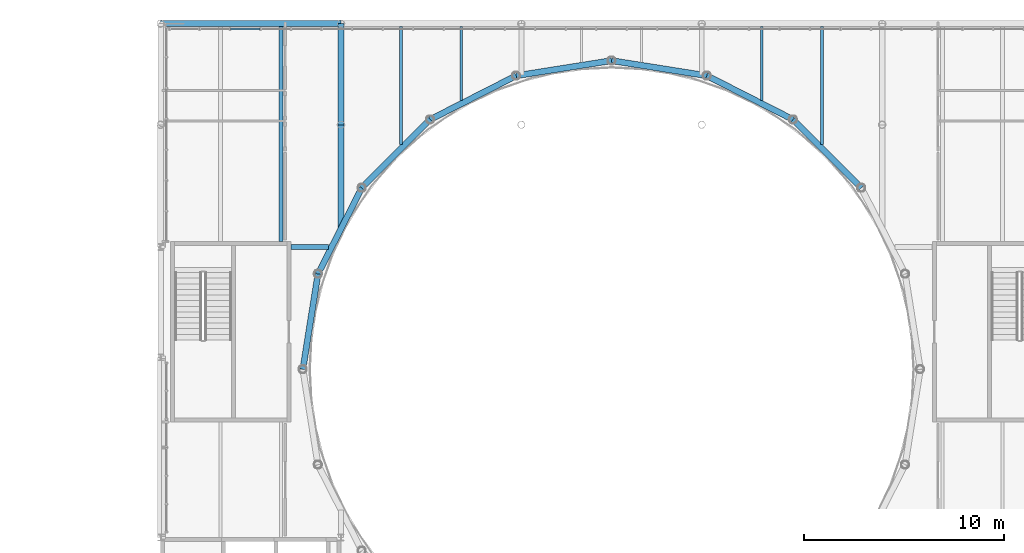
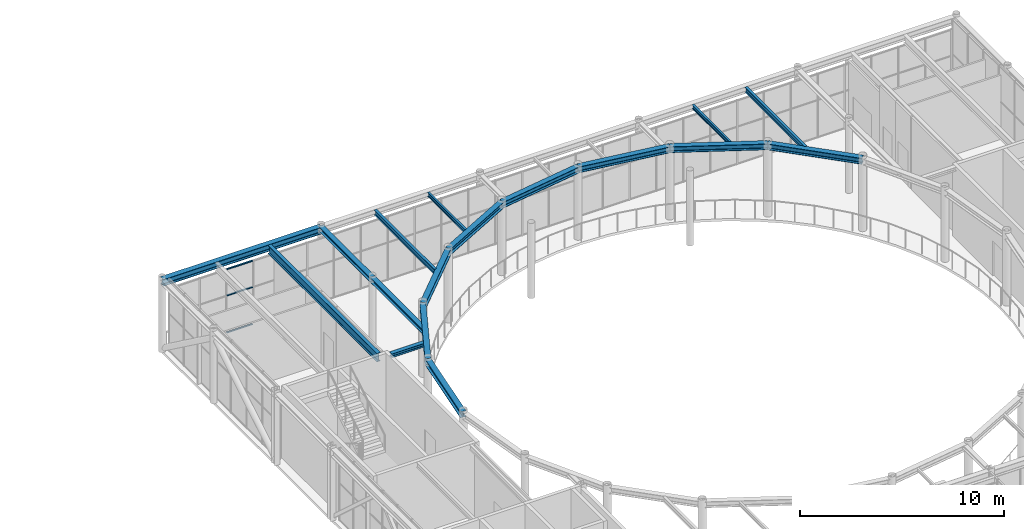
# One storey, part 45 of 111: 17 beams, 3 members, 1 element without a shape of its own.
"""IFC4 building model written with IfcOpenShell, lengths in metres."""

import ifcopenshell
import ifcopenshell.guid

model = None  # the IFC model being written
_history = None  # IfcOwnerHistory: only IFC2X3 demands one
_inside = {}  # id of a spatial element -> (the spatial element, [elements in it])
_under = {}  # id of a project, library or spatial element -> (it, [spatial elements below it])
_declared = {}  # id of a project -> (the project, [libraries it declares])
_typed = {}  # id of a type object -> (the type object, [elements of that type])
_made_of = {}  # id of a material, layer set ... -> (it, [elements and type objects made of it])


def new_model(schema):
    """Start an empty IFC model of exactly this schema.

    Asked for "IFC4X3", IfcOpenShell would pick the latest addendum, in which some entities
    have other attributes; the version numbers below select the first issue.
    IFC2X3 requires an IfcOwnerHistory on every rooted entity: one is made here for all.
    """
    global model, _history
    if schema == "IFC4X3":
        model = ifcopenshell.file(schema_version=(4, 3, 0, 0))
    else:
        model = ifcopenshell.file(schema=schema)
    _inside.clear()
    _under.clear()
    _declared.clear()
    _typed.clear()
    _made_of.clear()
    _history = None
    if model.schema == "IFC2X3":
        org = make("IfcOrganization", Name="unknown")
        user = make(
            "IfcPersonAndOrganization",
            ThePerson=make("IfcPerson", FamilyName="unknown"),
            TheOrganization=org,
        )
        app = make(
            "IfcApplication",
            ApplicationDeveloper=org,
            Version="unknown",
            ApplicationFullName="unknown",
            ApplicationIdentifier="unknown",
        )
        _history = make(
            "IfcOwnerHistory",
            OwningUser=user,
            OwningApplication=app,
            ChangeAction="ADDED",
            CreationDate=0,
        )
    return model


def make(cls, **values):
    """One entity of the class cls with the attributes given. An attribute that is None is left unset."""
    return model.create_entity(
        cls, **{name: value for name, value in values.items() if value is not None}
    )


def rooted(cls, **values):
    """An entity with a GlobalId (a new one), such as an element, a storey or a relation."""
    return make(cls, GlobalId=ifcopenshell.guid.new(), OwnerHistory=_history, **values)


def si_unit(unit_type, name, prefix=None):
    """IfcSIUnit, for example si_unit("LENGTHUNIT", "METRE", prefix="MILLI")."""
    return make("IfcSIUnit", UnitType=unit_type, Prefix=prefix, Name=name)


def assignment(units):
    """IfcUnitAssignment: the units of a project."""
    return None if units is None else make("IfcUnitAssignment", Units=units)


def point(xyz):
    """IfcCartesianPoint."""
    return None if xyz is None else make("IfcCartesianPoint", Coordinates=xyz)


def direction(xyz):
    """IfcDirection."""
    return None if xyz is None else make("IfcDirection", DirectionRatios=xyz)


def frame(location, z_axis=None, x_axis=None):
    """IfcAxis2Placement3D, a coordinate frame: its origin and axes. An axis left out is left unset."""
    return make(
        "IfcAxis2Placement3D",
        Location=point(location),
        Axis=direction(z_axis),
        RefDirection=direction(x_axis),
    )


def frame_2d(location, x_axis=None):
    """IfcAxis2Placement2D, a coordinate frame in the plane: its origin and x axis."""
    return make(
        "IfcAxis2Placement2D", Location=point(location), RefDirection=direction(x_axis)
    )


def origin():
    """The frame at (0, 0, 0) with its axes left unset."""
    return frame((0.0, 0.0, 0.0))


def origin_2d():
    """The frame at (0, 0) in the plane with its x axis left unset."""
    return frame_2d((0.0, 0.0))


def place(relative_to, where):
    """IfcLocalPlacement: puts the frame where relative to a parent placement (None: the world)."""
    return make(
        "IfcLocalPlacement", PlacementRelTo=relative_to, RelativePlacement=where
    )


def context(
    kind, dimensions, precision=None, world=None, true_north=None, identifier=None
):
    """IfcGeometricRepresentationContext, for example the 3D "Model" context."""
    return make(
        "IfcGeometricRepresentationContext",
        ContextIdentifier=identifier,
        ContextType=kind,
        CoordinateSpaceDimension=dimensions,
        Precision=precision,
        WorldCoordinateSystem=world,
        TrueNorth=true_north,
    )


def subcontext(parent, identifier, kind, view, scale=None):
    """IfcGeometricRepresentationSubContext, for example "Body" below "Model"."""
    return make(
        "IfcGeometricRepresentationSubContext",
        ContextIdentifier=identifier,
        ContextType=kind,
        ParentContext=parent,
        TargetScale=scale,
        TargetView=view,
    )


def project(units=None, contexts=None):
    """IfcProject with its units and contexts."""
    return rooted(
        "IfcProject",
        Name="project",
        RepresentationContexts=contexts,
        UnitsInContext=assignment(units),
    )


def spatial(cls, under=None, at=None, **own):
    """A site, building, storey or space (cls), placed at a placement, below another one or the project."""
    s = rooted(cls, ObjectPlacement=at, **own)
    if under is not None:
        _under.setdefault(under.id(), (under, []))[1].append(s)
    return s


def profile(cls, at=None, kind="AREA", **sizes):
    """A parametric profile (cls). Its sizes go by their IFC names, for example OverallWidth=200.0."""
    return make(cls, ProfileType=kind, Position=at, **sizes)


def hollow_rectangle(**sizes):
    """IfcRectangleHollowProfileDef."""
    return profile("IfcRectangleHollowProfileDef", **sizes)


def i_section(**sizes):
    """IfcIShapeProfileDef."""
    return profile("IfcIShapeProfileDef", **sizes)


def extrude(swept, where, along, depth):
    """IfcExtrudedAreaSolid: the profile swept, set in the frame where, extruded along a direction by depth."""
    return make(
        "IfcExtrudedAreaSolid",
        SweptArea=swept,
        Position=where,
        ExtrudedDirection=direction(along),
        Depth=depth,
    )


def shape(context_of_items, identifier, shape_type, items):
    """IfcShapeRepresentation: the items that make up one representation, for example the "Body"."""
    return make(
        "IfcShapeRepresentation",
        ContextOfItems=context_of_items,
        RepresentationIdentifier=identifier,
        RepresentationType=shape_type,
        Items=items,
    )


def material(Name=None, Category=None):
    """IfcMaterial."""
    return make("IfcMaterial", Name=Name, Category=Category)


def layer(
    of_material, thickness, ventilated=None, Name=None, Category=None, Priority=None
):
    """IfcMaterialLayer: one layer of a wall or slab, of a material (None: an air gap)."""
    return make(
        "IfcMaterialLayer",
        Material=of_material,
        LayerThickness=thickness,
        IsVentilated=ventilated,
        Name=Name,
        Category=Category,
        Priority=Priority,
    )


def layer_set(layers, Name=None):
    """IfcMaterialLayerSet."""
    return make("IfcMaterialLayerSet", MaterialLayers=layers, LayerSetName=Name)


def material_profile(
    of_material, cross_section, Name=None, Category=None, Priority=None
):
    """IfcMaterialProfile: a cross section and its material."""
    return make(
        "IfcMaterialProfile",
        Name=Name,
        Material=of_material,
        Profile=cross_section,
        Priority=Priority,
        Category=Category,
    )


def profile_set(profiles, Name=None, composite=None):
    """IfcMaterialProfileSet."""
    return make(
        "IfcMaterialProfileSet",
        Name=Name,
        MaterialProfiles=profiles,
        CompositeProfile=composite,
    )


def made_of(thing, what):
    """Note that an element or type object is made of a material, layer set ...; save() writes the relation."""
    if what is not None:
        _made_of.setdefault(what.id(), (what, []))[1].append(thing)
    return thing


def type_object(cls, material=None, **own):
    """A type object (cls), such as IfcWallType, which elements share."""
    return made_of(rooted(cls, **own), material)


def element(
    cls,
    number,
    at=None,
    inside=None,
    cuts=None,
    type_object=None,
    material=None,
    context=None,
    identifier="Body",
    shape_type=None,
    held_by="IfcProductDefinitionShape",
    body=None,
    shapes=None,
    **own,
):
    """One element of the class cls, such as IfcWall. Its Tag is "e" and its number.

    at: its placement. inside: the storey or other place that contains it. cuts: it is an
    opening in that element (IfcRelVoidsElement). A single representation is given by context,
    identifier, shape_type and body (its items); several are given by shapes. held_by: the class
    of the entity that holds the representations. save() writes the other relations.
    """
    e = rooted(cls, Tag="e%d" % number, ObjectPlacement=at, **own)
    if body is not None:
        shapes = [shape(context, identifier, shape_type, body)]
    if shapes is not None:
        e.Representation = make(held_by, Representations=shapes)
    if inside is not None:
        _inside.setdefault(inside.id(), (inside, []))[1].append(e)
    if cuts is not None:
        rooted(
            "IfcRelVoidsElement", RelatingBuildingElement=cuts, RelatedOpeningElement=e
        )
    if type_object is not None:
        _typed.setdefault(type_object.id(), (type_object, []))[1].append(e)
    return made_of(e, material)


def aggregate(whole, parts):
    """IfcRelAggregates: a whole, such as a stair, and the parts it consists of."""
    return rooted("IfcRelAggregates", RelatingObject=whole, RelatedObjects=parts)


def save(model, path):
    """Write the relations noted so far, then the file.

    IfcRelAggregates (storeys below a building ...), IfcRelContainedInSpatialStructure (elements
    in a storey), IfcRelDefinesByType, IfcRelAssociatesMaterial and IfcRelDeclares: one each for
    every whole, place, type object, material and project.
    """
    for whole, parts in _under.values():
        aggregate(whole, parts)
    for where, things in _inside.values():
        rooted(
            "IfcRelContainedInSpatialStructure",
            RelatedElements=things,
            RelatingStructure=where,
        )
    for kind, things in _typed.values():
        rooted("IfcRelDefinesByType", RelatedObjects=things, RelatingType=kind)
    for what, things in _made_of.values():
        rooted("IfcRelAssociatesMaterial", RelatedObjects=things, RelatingMaterial=what)
    for by, libraries in _declared.values():
        rooted("IfcRelDeclares", RelatingContext=by, RelatedDefinitions=libraries)
    model.write(path)


model = new_model("IFC4")

# Units and contexts
model_context = context("Model", 3, precision=1e-05, world=origin(), true_north=direction((0.0, 1.0)))
body_context = subcontext(model_context, "Body", "Model", "MODEL_VIEW")
ifc_project = project(units=[si_unit("LENGTHUNIT", "METRE"), si_unit("AREAUNIT", "SQUARE_METRE"), si_unit("VOLUMEUNIT", "CUBIC_METRE"), si_unit("PLANEANGLEUNIT", "RADIAN"), si_unit("MASSUNIT", "GRAM", prefix="KILO")], contexts=[model_context])

# Site, building, storey
site_placement = place(None, origin())
site = spatial("IfcSite", under=ifc_project, at=site_placement, CompositionType="ELEMENT")
building_placement = place(site_placement, origin())
building = spatial("IfcBuilding", under=site, at=building_placement, Name="Kallimachos Central Library", CompositionType="ELEMENT")
storey_placement = place(building_placement, frame((0.0, 0.0, 14.39990234375)))
storey = spatial("IfcBuildingStorey", under=building, at=storey_placement, Name="L03", CompositionType="ELEMENT", Elevation=14.39990234375)

# Curtain wall, members
ifc_material_1 = material(Name="Anodised aluminium and laminated glass", Category="aluminium")
ifc_layer = layer(ifc_material_1, 0.159912109375)
ifc_layer_set = layer_set([ifc_layer], Name="Glass box curtain wall")
curtain_wall_type = type_object("IfcCurtainWallType", Name="Glass box curtain wall", PredefinedType="NOTDEFINED", material=ifc_layer_set)
curtain_wall_placement = place(storey_placement, origin())
curtain_wall = element("IfcCurtainWall", 1, at=curtain_wall_placement, inside=storey, type_object=curtain_wall_type, Name="Glass box curtain wall N L03", PredefinedType="NOTDEFINED")
ifc_material_2 = material(Name="Anodised aluminium", Category="aluminium")
ifc_material_profile_1 = material_profile(ifc_material_2, hollow_rectangle(XDim=0.06005859375, YDim=0.080078125, WallThickness=0.00390625, at=origin_2d()), Name="ALU TRANSOM 60x80")
ifc_profile_set_1 = profile_set([ifc_material_profile_1], Name="Anodised aluminium")
member_type = type_object("IfcMemberType", Name="Glass box transom 60x80", PredefinedType="USERDEFINED", material=ifc_profile_set_1)
member_1_placement = place(storey_placement, frame((68.99560546875, 121.3798828125, 0.030029296875), z_axis=(1.0, 0.0, 0.0), x_axis=(0.0, 0.0, 1.0)))
member_1 = element("IfcMember", 2, at=member_1_placement, type_object=member_type, Name="CW27 transom 3.1", ObjectType="TRANSOM", PredefinedType="USERDEFINED", context=body_context, shape_type="SweptSolid", body=[
    extrude(hollow_rectangle(XDim=0.06005859375, YDim=0.080078125, WallThickness=0.00390625, at=origin_2d()), origin(), (0.0, 0.0, 1.0), 1.462646484375),
])
member_2_placement = place(storey_placement, frame((68.99560546875, 121.3798828125, 2.25), z_axis=(1.0, 0.0, 0.0), x_axis=(0.0, 0.0, 1.0)))
member_2 = element("IfcMember", 3, at=member_2_placement, type_object=member_type, Name="CW27 transom 3.2", ObjectType="TRANSOM", PredefinedType="USERDEFINED", context=body_context, shape_type="SweptSolid", body=[
    extrude(hollow_rectangle(XDim=0.06005859375, YDim=0.080078125, WallThickness=0.00390625, at=origin_2d()), origin(), (0.0, 0.0, 1.0), 1.462646484375),
])
member_3_placement = place(storey_placement, frame((68.99560546875, 121.3798828125, 3.820068359375), z_axis=(1.0, 0.0, 0.0), x_axis=(0.0, 0.0, 1.0)))
member_3 = element("IfcMember", 4, at=member_3_placement, type_object=member_type, Name="CW27 transom 3.3", ObjectType="TRANSOM", PredefinedType="USERDEFINED", context=body_context, shape_type="SweptSolid", body=[
    extrude(hollow_rectangle(XDim=0.06005859375, YDim=0.080078125, WallThickness=0.00390625, at=origin_2d()), origin(), (0.0, 0.0, 1.0), 1.462646484375),
])
aggregate(curtain_wall, [member_1, member_2, member_3])

# Beams
ifc_material_3 = material(Name="Steel S355J2", Category="steel")
ifc_material_profile_2 = material_profile(ifc_material_3, i_section(OverallWidth=0.239990234375, OverallDepth=0.22998046875, WebThickness=0.007568359375, FlangeThickness=0.011962890625, FilletRadius=0.02099609375, at=origin_2d()), Name="HEA 240")
ifc_profile_set_2 = profile_set([ifc_material_profile_2], Name="Steel S355J2")
beam_type_1 = type_object("IfcBeamType", Name="HEA 240 beam", PredefinedType="BEAM", material=ifc_profile_set_2)
beam_1_placement = place(storey_placement, frame((72.0048828125, 110.5, 4.235107421875), z_axis=(1.0, 0.0, 0.0), x_axis=(0.0, 1.0, 0.0)))
element("IfcBeam", 5, at=beam_1_placement, inside=storey, type_object=beam_type_1, Name="V1-BEM-L03-042", PredefinedType="BEAM", context=body_context, shape_type="SweptSolid", body=[
    extrude(i_section(OverallWidth=0.239990234375, OverallDepth=0.22998046875, WebThickness=0.007568359375, FlangeThickness=0.011962890625, FilletRadius=0.02099609375, at=origin_2d()), origin(), (0.0, 0.0, 1.0), 1.86376953125),
])
ifc_material_4 = material(Name="Steel S355J2", Category="steel")
ifc_material_profile_3 = material_profile(ifc_material_4, i_section(OverallWidth=0.280029296875, OverallDepth=0.27001953125, WebThickness=0.008056640625, FlangeThickness=0.012939453125, FilletRadius=0.02392578125, at=origin_2d()), Name="HEA 280")
ifc_profile_set_3 = profile_set([ifc_material_profile_3], Name="Steel S355J2")
beam_type_2 = type_object("IfcBeamType", Name="HEA 280 beam", PredefinedType="BEAM", material=ifc_profile_set_3)
beam_2_placement = place(storey_placement, frame((74.5, 111.40869140625, 4.215087890625), z_axis=(0.0, 1.0, 0.0), x_axis=(-1.0, 0.0, 0.0)))
element("IfcBeam", 6, at=beam_2_placement, inside=storey, type_object=beam_type_2, Name="V1-BEM-L03-026", PredefinedType="BEAM", context=body_context, shape_type="SweptSolid", body=[
    extrude(i_section(OverallWidth=0.280029296875, OverallDepth=0.27001953125, WebThickness=0.008056640625, FlangeThickness=0.012939453125, FilletRadius=0.02392578125, at=origin_2d()), origin(), (0.0, 0.0, 1.0), 5.19140625),
])
beam_3_placement = place(storey_placement, frame((74.5, 116.60009765625, 4.215087890625), z_axis=(0.0, 1.0, 0.0), x_axis=(-1.0, 0.0, 0.0)))
element("IfcBeam", 7, at=beam_3_placement, inside=storey, type_object=beam_type_2, Name="V1-BEM-L03-027", PredefinedType="BEAM", context=body_context, shape_type="SweptSolid", body=[
    extrude(i_section(OverallWidth=0.280029296875, OverallDepth=0.27001953125, WebThickness=0.008056640625, FlangeThickness=0.012939453125, FilletRadius=0.02392578125, at=origin_2d()), origin(), (0.0, 0.0, 1.0), 5.0498046875),
])
ifc_material_5 = material(Name="Steel S355J2", Category="steel")
ifc_material_profile_4 = material_profile(ifc_material_5, i_section(OverallWidth=0.300048828125, OverallDepth=0.360107421875, WebThickness=0.012451171875, FlangeThickness=0.0224609375, FilletRadius=0.027099609375, at=origin_2d()), Name="HEB 360")
ifc_profile_set_4 = profile_set([ifc_material_profile_4], Name="Steel S355J2")
beam_type_3 = type_object("IfcBeamType", Name="HEB 360 beam", PredefinedType="BEAM", material=ifc_profile_set_4)
beam_4_placement = place(storey_placement, frame((100.458984375, 113.451904296875, 4.170166015625), z_axis=(-0.707106781187, 0.707106781187, 0.0), x_axis=(-0.707106781187, -0.707106781187, 0.0)))
element("IfcBeam", 8, at=beam_4_placement, inside=storey, type_object=beam_type_3, Name="V1-BEM-L03-003", PredefinedType="BEAM", context=body_context, shape_type="SweptSolid", body=[
    extrude(i_section(OverallWidth=0.300048828125, OverallDepth=0.360107421875, WebThickness=0.012451171875, FlangeThickness=0.0224609375, FilletRadius=0.027099609375, at=origin_2d()), origin(), (0.0, 0.0, 1.0), 4.818115234375),
])
beam_5_placement = place(storey_placement, frame((97.052001953125, 116.85888671875, 4.170166015625), z_axis=(-0.891006627269, 0.453990297432, 0.0), x_axis=(-0.453990297432, -0.891006627269, 0.0)))
element("IfcBeam", 9, at=beam_5_placement, inside=storey, type_object=beam_type_3, Name="V1-BEM-L03-004", PredefinedType="BEAM", context=body_context, shape_type="SweptSolid", body=[
    extrude(i_section(OverallWidth=0.300048828125, OverallDepth=0.360107421875, WebThickness=0.012451171875, FlangeThickness=0.0224609375, FilletRadius=0.027099609375, at=origin_2d()), origin(), (0.0, 0.0, 1.0), 4.818359375),
])
for number, where, z_axis, x_axis, name in (
    (10, (92.7587890625, 119.04638671875, 4.170166015625), (-0.987690137413, 0.156423119957, 0.0), (-0.156423119957, -0.987690137413, 0.0), "V1-BEM-L03-005"),
    (11, (88.0, 119.800048828125, 4.170166015625), (-0.987690137413, -0.156423119957, 0.0), (0.156423119957, -0.987690137413, 0.0), "V1-BEM-L03-006"),
):
    element("IfcBeam", number, at=place(storey_placement, frame(where, z_axis=z_axis, x_axis=x_axis)), inside=storey, type_object=beam_type_3, Name=name, PredefinedType="BEAM", context=body_context, shape_type="SweptSolid", body=[
        extrude(i_section(OverallWidth=0.300048828125, OverallDepth=0.360107421875, WebThickness=0.012451171875, FlangeThickness=0.0224609375, FilletRadius=0.027099609375, at=origin_2d()), origin(), (0.0, 0.0, 1.0), 4.818115234375),
    ])
beam_6_placement = place(storey_placement, frame((83.2412109375, 119.04638671875, 4.170166015625), z_axis=(-0.891006627269, -0.453990297432, 0.0), x_axis=(0.453990297432, -0.891006627269, 0.0)))
element("IfcBeam", 12, at=beam_6_placement, inside=storey, type_object=beam_type_3, Name="V1-BEM-L03-007", PredefinedType="BEAM", context=body_context, shape_type="SweptSolid", body=[
    extrude(i_section(OverallWidth=0.300048828125, OverallDepth=0.360107421875, WebThickness=0.012451171875, FlangeThickness=0.0224609375, FilletRadius=0.027099609375, at=origin_2d()), origin(), (0.0, 0.0, 1.0), 4.818359375),
])
for number, where, z_axis, x_axis, name in (
    (13, (78.947998046875, 116.85888671875, 4.170166015625), (-0.707106781187, -0.707106781187, 0.0), (0.707106781187, -0.707106781187, 0.0), "V1-BEM-L03-008"),
    (14, (75.541015625, 113.451904296875, 4.170166015625), (-0.453970566426, -0.891016680438, 0.0), (0.891016680438, -0.453970566426, 0.0), "V1-BEM-L03-009"),
):
    element("IfcBeam", number, at=place(storey_placement, frame(where, z_axis=z_axis, x_axis=x_axis)), inside=storey, type_object=beam_type_3, Name=name, PredefinedType="BEAM", context=body_context, shape_type="SweptSolid", body=[
        extrude(i_section(OverallWidth=0.300048828125, OverallDepth=0.360107421875, WebThickness=0.012451171875, FlangeThickness=0.0224609375, FilletRadius=0.027099609375, at=origin_2d()), origin(), (0.0, 0.0, 1.0), 4.818115234375),
    ])
beam_7_placement = place(storey_placement, frame((73.353759765625, 109.158935546875, 4.170166015625), z_axis=(-0.15641529171, -0.987691377162, 0.0), x_axis=(0.987691377162, -0.15641529171, 0.0)))
element("IfcBeam", 15, at=beam_7_placement, inside=storey, type_object=beam_type_3, Name="V1-BEM-L03-010", PredefinedType="BEAM", context=body_context, shape_type="SweptSolid", body=[
    extrude(i_section(OverallWidth=0.300048828125, OverallDepth=0.360107421875, WebThickness=0.012451171875, FlangeThickness=0.0224609375, FilletRadius=0.027099609375, at=origin_2d()), origin(), (0.0, 0.0, 1.0), 4.818359375),
])
ifc_material_6 = material(Name="Steel S355J2", Category="steel")
ifc_material_profile_5 = material_profile(ifc_material_6, i_section(OverallWidth=0.300048828125, OverallDepth=0.39990234375, WebThickness=0.013427734375, FlangeThickness=0.02392578125, FilletRadius=0.027099609375, at=origin_2d()), Name="HEB 400")
ifc_profile_set_5 = profile_set([ifc_material_profile_5], Name="Steel S355J2")
beam_type_4 = type_object("IfcBeamType", Name="HEB 400 beam", PredefinedType="BEAM", material=ifc_profile_set_5)
beam_8_placement = place(storey_placement, frame((65.5, 121.64990234375, 4.150146484375), z_axis=(1.0, 0.0, 0.0), x_axis=(0.0, 1.0, 0.0)))
element("IfcBeam", 16, at=beam_8_placement, inside=storey, type_object=beam_type_4, Name="V1-BEM-L03-044", PredefinedType="BEAM", context=body_context, shape_type="SweptSolid", body=[
    extrude(i_section(OverallWidth=0.300048828125, OverallDepth=0.39990234375, WebThickness=0.013427734375, FlangeThickness=0.02392578125, FilletRadius=0.027099609375, at=origin_2d()), origin(), (0.0, 0.0, 1.0), 9.0),
])
ifc_material_7 = material(Name="Steel S355J2", Category="steel")
ifc_material_profile_6 = material_profile(ifc_material_7, i_section(OverallWidth=0.1201171875, OverallDepth=0.239990234375, WebThickness=0.006103515625, FlangeThickness=0.009765625, FilletRadius=0.014892578125, at=origin_2d()), Name="IPE 240")
ifc_profile_set_6 = profile_set([ifc_material_profile_6], Name="Steel S355J2")
beam_type_5 = type_object("IfcBeamType", Name="IPE 240 beam", PredefinedType="BEAM", material=ifc_profile_set_6)
for number, where, z_axis, x_axis, name in (
    (17, (80.5, 117.818115234375, 4.22998046875), (0.0, 1.0, 0.0), (-1.0, 0.0, 0.0), "V1-BEM-L03-056"),
    (18, (95.5, 117.818115234375, 4.22998046875), (0.0, 1.0, 0.0), (-1.0, 0.0, 0.0), "V1-BEM-L03-062"),
):
    element("IfcBeam", number, at=place(storey_placement, frame(where, z_axis=z_axis, x_axis=x_axis)), inside=storey, type_object=beam_type_5, Name=name, PredefinedType="BEAM", context=body_context, shape_type="SweptSolid", body=[
        extrude(i_section(OverallWidth=0.1201171875, OverallDepth=0.239990234375, WebThickness=0.006103515625, FlangeThickness=0.009765625, FilletRadius=0.014892578125, at=origin_2d()), origin(), (0.0, 0.0, 1.0), 3.681884765625),
    ])
ifc_material_8 = material(Name="Steel S355J2", Category="steel")
ifc_material_profile_7 = material_profile(ifc_material_8, i_section(OverallWidth=0.14990234375, OverallDepth=0.300048828125, WebThickness=0.007080078125, FlangeThickness=0.0107421875, FilletRadius=0.014892578125, at=origin_2d()), Name="IPE 300")
ifc_profile_set_7 = profile_set([ifc_material_profile_7], Name="Steel S355J2")
beam_type_6 = type_object("IfcBeamType", Name="IPE 300 beam", PredefinedType="BEAM", material=ifc_profile_set_7)
for number, where, z_axis, x_axis, name in (
    (19, (77.5, 115.622802734375, 4.2001953125), (0.0, 1.0, 0.0), (-1.0, 0.0, 0.0), "V1-BEM-L03-054"),
    (20, (98.5, 115.622802734375, 4.2001953125), (0.0, 1.0, 0.0), (-1.0, 0.0, 0.0), "V1-BEM-L03-064"),
):
    element("IfcBeam", number, at=place(storey_placement, frame(where, z_axis=z_axis, x_axis=x_axis)), inside=storey, type_object=beam_type_6, Name=name, PredefinedType="BEAM", context=body_context, shape_type="SweptSolid", body=[
        extrude(i_section(OverallWidth=0.14990234375, OverallDepth=0.300048828125, WebThickness=0.007080078125, FlangeThickness=0.0107421875, FilletRadius=0.014892578125, at=origin_2d()), origin(), (0.0, 0.0, 1.0), 5.877197265625),
    ])
ifc_material_9 = material(Name="Steel S355J2", Category="steel")
ifc_material_profile_8 = material_profile(ifc_material_9, i_section(OverallWidth=0.199951171875, OverallDepth=0.5, WebThickness=0.01025390625, FlangeThickness=0.01611328125, FilletRadius=0.02099609375, at=origin_2d()), Name="IPE 500")
ifc_profile_set_8 = profile_set([ifc_material_profile_8], Name="Steel S355J2")
beam_type_7 = type_object("IfcBeamType", Name="IPE 500 beam", PredefinedType="BEAM", material=ifc_profile_set_8)
beam_9_placement = place(storey_placement, frame((71.5, 110.780029296875, 4.10009765625), z_axis=(0.0, 1.0, 0.0), x_axis=(-1.0, 0.0, 0.0)))
element("IfcBeam", 21, at=beam_9_placement, inside=storey, type_object=beam_type_7, Name="V1-BEM-L03-052", PredefinedType="BEAM", context=body_context, shape_type="SweptSolid", body=[
    extrude(i_section(OverallWidth=0.199951171875, OverallDepth=0.5, WebThickness=0.01025390625, FlangeThickness=0.01611328125, FilletRadius=0.02099609375, at=origin_2d()), origin(), (0.0, 0.0, 1.0), 10.719970703125),
])

save(model, "model.ifc")
